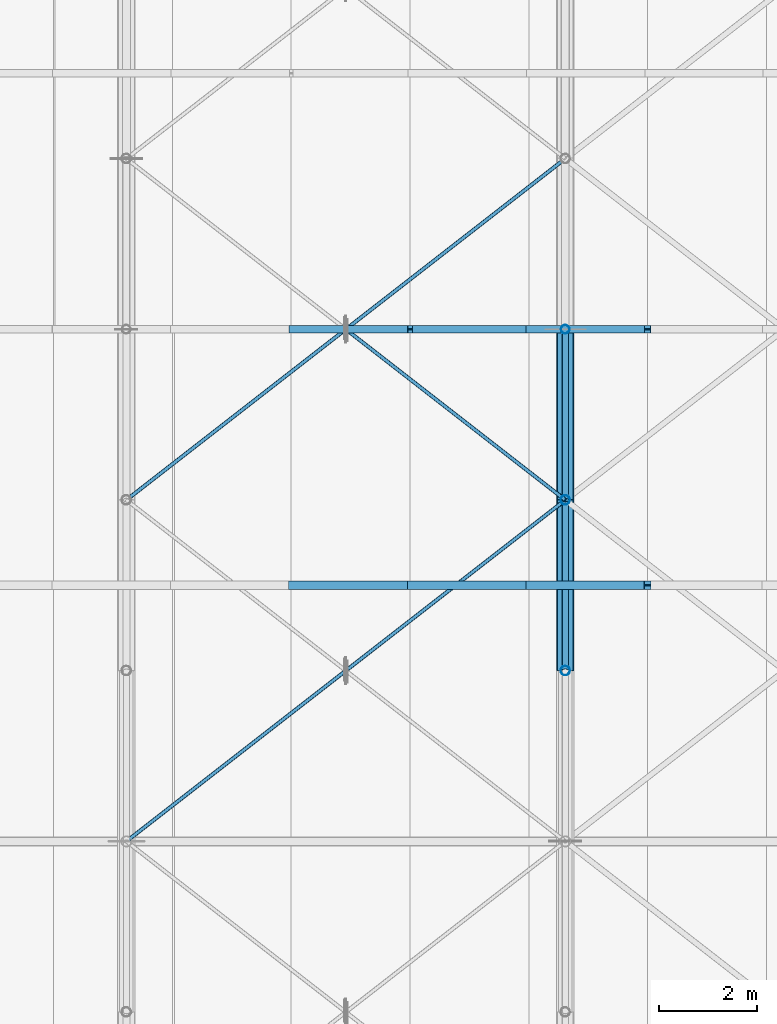
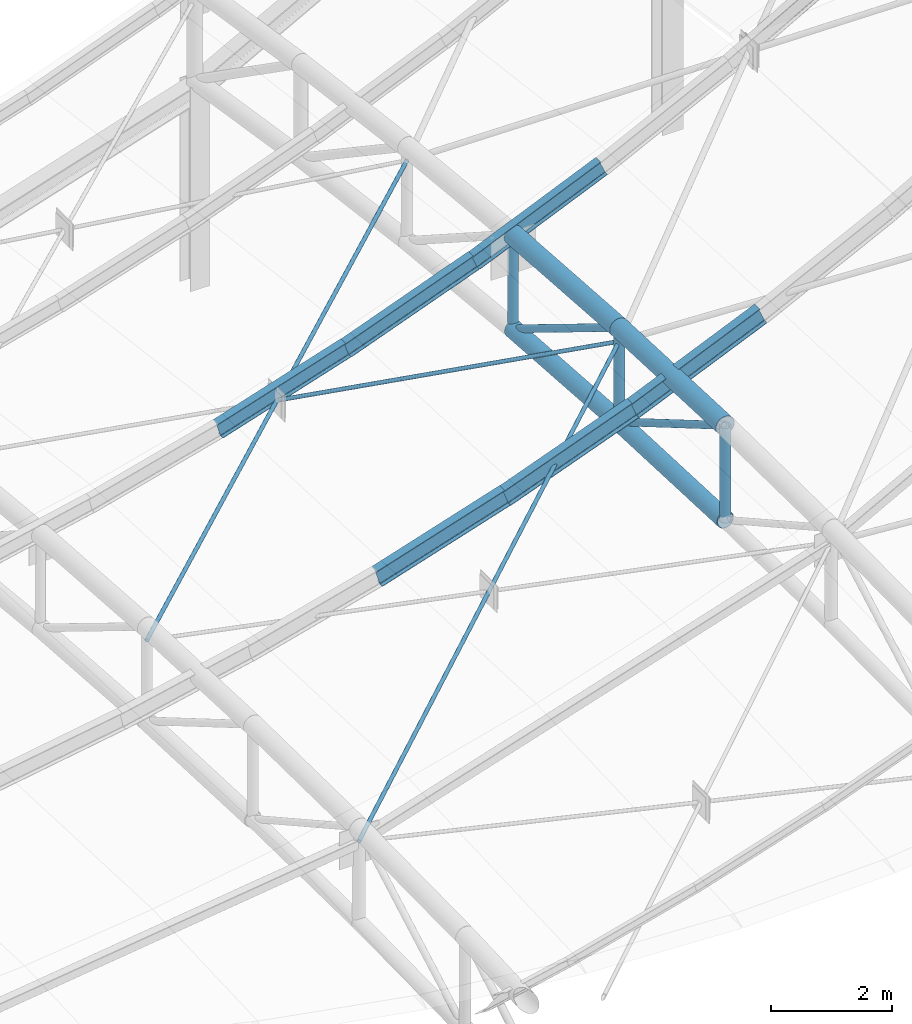
# One storey, part 36 of 262: 18 members.
"""IFC4 building model written with IfcOpenShell, lengths in metres."""

from ifc_helpers import new_model, si_unit, derived_unit, direction, frame, origin, origin_2d, place, context, subcontext, project, spatial, hollow_circle, i_section, extrude, material, material_profile, profile_set, type_object, element, save


model = new_model("IFC4")

# Units and contexts
model_context = context("Model", 3, precision=1e-05, world=origin(), true_north=direction((0.0, 1.0)))
body_context = subcontext(model_context, "Body", "Model", "MODEL_VIEW")
ifc_project = project(units=[si_unit("LENGTHUNIT", "METRE"), si_unit("AREAUNIT", "SQUARE_METRE"), si_unit("VOLUMEUNIT", "CUBIC_METRE"), si_unit("PLANEANGLEUNIT", "RADIAN"), si_unit("MASSUNIT", "GRAM", prefix="KILO"), derived_unit("THERMALTRANSMITTANCEUNIT", [(si_unit("POWERUNIT", "WATT"), 1), (si_unit("LENGTHUNIT", "METRE"), -2), (si_unit("THERMODYNAMICTEMPERATUREUNIT", "KELVIN"), -1)])], contexts=[model_context])

# Site, building, storey
site_placement = place(None, origin())
site = spatial("IfcSite", under=ifc_project, at=site_placement, CompositionType="ELEMENT")
building_placement = place(site_placement, origin())
building = spatial("IfcBuilding", under=site, at=building_placement, Name="Almenara Railside Exhibition Hall", CompositionType="ELEMENT")
storey_placement = place(building_placement, frame((0.0, 0.0, 21.699951171875)))
storey = spatial("IfcBuildingStorey", under=building, at=storey_placement, Name="RF", CompositionType="ELEMENT", Elevation=21.699951171875)

# Members
ifc_material = material(Name="Structural steel S355JR", Category="steel")
ifc_material_profile_1 = material_profile(ifc_material, i_section(OverallWidth=0.159912109375, OverallDepth=0.330078125, WebThickness=0.007568359375, FlangeThickness=0.011474609375, FilletRadius=0.01806640625, at=origin_2d()), Name="IPE 330")
ifc_profile_set_1 = profile_set([ifc_material_profile_1], Name="Structural steel S355JR")
member_type_1 = type_object("IfcMemberType", Name="Gable Bay Purlin IPE 330 S355JR", PredefinedType="PURLIN", material=ifc_profile_set_1)
member_1_placement = place(storey_placement, frame((51.3798828125, 31.5, -4.598876953125), z_axis=(0.952440767254, 0.0, 0.304723784553), x_axis=(0.0, 1.0, 0.0)))
element("IfcMember", 1, at=member_1_placement, inside=storey, type_object=member_type_1, Name="MEM-PR-V4-PR-IPE330-06-22", PredefinedType="PURLIN", context=body_context, shape_type="SweptSolid", body=[
    extrude(i_section(OverallWidth=0.159912109375, OverallDepth=0.330078125, WebThickness=0.007568359375, FlangeThickness=0.011474609375, FilletRadius=0.01806640625, at=origin_2d()), origin(), (0.0, 0.0, 1.0), 2.55810546875),
])
member_2_placement = place(storey_placement, frame((53.81640625, 31.5, -3.825927734375), z_axis=(0.936171044044, 0.0, 0.351544842508), x_axis=(0.0, 1.0, 0.0)))
element("IfcMember", 2, at=member_2_placement, inside=storey, type_object=member_type_1, Name="MEM-PR-V4-PR-IPE330-06-23", PredefinedType="PURLIN", context=body_context, shape_type="SweptSolid", body=[
    extrude(i_section(OverallWidth=0.159912109375, OverallDepth=0.330078125, WebThickness=0.007568359375, FlangeThickness=0.011474609375, FilletRadius=0.01806640625, at=origin_2d()), origin(), (0.0, 0.0, 1.0), 2.60302734375),
])
member_3_placement = place(storey_placement, frame((56.253173828125, 31.5, -2.9189453125), z_axis=(0.917189812532, 0.0, 0.398450558775), x_axis=(0.0, 1.0, 0.0)))
element("IfcMember", 3, at=member_3_placement, inside=storey, type_object=member_type_1, Name="MEM-PR-V4-PR-IPE330-06-24", PredefinedType="PURLIN", context=body_context, shape_type="SweptSolid", body=[
    extrude(i_section(OverallWidth=0.159912109375, OverallDepth=0.330078125, WebThickness=0.007568359375, FlangeThickness=0.011474609375, FilletRadius=0.01806640625, at=origin_2d()), origin(), (0.0, 0.0, 1.0), 2.65673828125),
])
ifc_material_profile_2 = material_profile(ifc_material, hollow_circle(Radius=0.0380859375, WallThickness=0.003662109375, at=origin_2d()), Name="CHS 76.1x3.6")
ifc_profile_set_2 = profile_set([ifc_material_profile_2], Name="Structural steel S355JR")
member_type_2 = type_object("IfcMemberType", Name="Lantern Cross-Tie Brace CHS 76.1x3.6 S355JR", PredefinedType="BRACE", material=ifc_profile_set_2)
member_4_placement = place(storey_placement, frame((48.0, 21.0, -5.3505859375), z_axis=(0.768536005782, 0.597750226719, 0.228138278843), x_axis=(-0.613940613515, 0.789352217376, 0.0)))
element("IfcMember", 4, at=member_4_placement, inside=storey, type_object=member_type_2, Name="MEM-WB-V4-WB-CHS76-05-06-C", PredefinedType="BRACE", context=body_context, shape_type="SweptSolid", body=[
    extrude(hollow_circle(Radius=0.0380859375, WallThickness=0.003662109375, at=origin_2d()), origin(), (0.0, 0.0, 1.0), 11.710693359375),
])
member_5_placement = place(storey_placement, frame((48.0, 28.0, -5.550537109375), z_axis=(0.774139083948, 0.602108176404, 0.195382759252), x_axis=(-0.613940613515, 0.789352217376, 0.0)))
element("IfcMember", 5, at=member_5_placement, inside=storey, type_object=member_type_2, Name="MEM-WB-V4-WB-CHS76-05-08-C", PredefinedType="BRACE", context=body_context, shape_type="SweptSolid", body=[
    extrude(hollow_circle(Radius=0.0380859375, WallThickness=0.003662109375, at=origin_2d()), origin(), (0.0, 0.0, 1.0), 11.625732421875),
])
member_6_placement = place(storey_placement, frame((52.53173828125, 31.475341796875, -4.402587890625), z_axis=(0.755120122258, -0.587320234966, 0.291287731567), x_axis=(0.613943599375, 0.789349895031, 0.0)))
element("IfcMember", 6, at=member_6_placement, inside=storey, type_object=member_type_2, Name="MEM-WB-V4-WB-CHS76-05-08-S2", PredefinedType="BRACE", context=body_context, shape_type="SweptSolid", body=[
    extrude(hollow_circle(Radius=0.0380859375, WallThickness=0.003662109375, at=origin_2d()), origin(), (0.0, 0.0, 1.0), 5.917236328125),
])
ifc_material_profile_3 = material_profile(ifc_material, i_section(OverallWidth=0.169921875, OverallDepth=0.360107421875, WebThickness=0.008056640625, FlangeThickness=0.0126953125, FilletRadius=0.01806640625, at=origin_2d()), Name="IPE 360")
ifc_profile_set_3 = profile_set([ifc_material_profile_3], Name="Structural steel S355JR")
member_type_3 = type_object("IfcMemberType", Name="Long-Span Scroll Purlin IPE 360 S355JR", PredefinedType="PURLIN", material=ifc_profile_set_3)
member_7_placement = place(storey_placement, frame((51.3798828125, 26.25, -4.38671875), z_axis=(0.952468462339, 0.0, 0.304637207594), x_axis=(0.0, 1.0, 0.0)))
element("IfcMember", 7, at=member_7_placement, inside=storey, type_object=member_type_3, Name="MEM-PR-V4-PR-IPE360-05-22", PredefinedType="PURLIN", context=body_context, shape_type="SweptSolid", body=[
    extrude(i_section(OverallWidth=0.169921875, OverallDepth=0.360107421875, WebThickness=0.008056640625, FlangeThickness=0.0126953125, FilletRadius=0.01806640625, at=origin_2d()), origin(), (0.0, 0.0, 1.0), 2.55810546875),
])
member_8_placement = place(storey_placement, frame((53.81640625, 26.25, -3.6142578125), z_axis=(0.936171044044, 0.0, 0.351544842508), x_axis=(0.0, 1.0, 0.0)))
element("IfcMember", 8, at=member_8_placement, inside=storey, type_object=member_type_3, Name="MEM-PR-V4-PR-IPE360-05-23", PredefinedType="PURLIN", context=body_context, shape_type="SweptSolid", body=[
    extrude(i_section(OverallWidth=0.169921875, OverallDepth=0.360107421875, WebThickness=0.008056640625, FlangeThickness=0.0126953125, FilletRadius=0.01806640625, at=origin_2d()), origin(), (0.0, 0.0, 1.0), 2.60302734375),
])
member_9_placement = place(storey_placement, frame((56.253173828125, 26.25, -2.70751953125), z_axis=(0.917189812532, 0.0, 0.398450558775), x_axis=(0.0, 1.0, 0.0)))
element("IfcMember", 9, at=member_9_placement, inside=storey, type_object=member_type_3, Name="MEM-PR-V4-PR-IPE360-05-24", PredefinedType="PURLIN", context=body_context, shape_type="SweptSolid", body=[
    extrude(i_section(OverallWidth=0.169921875, OverallDepth=0.360107421875, WebThickness=0.008056640625, FlangeThickness=0.0126953125, FilletRadius=0.01806640625, at=origin_2d()), origin(), (0.0, 0.0, 1.0), 2.65673828125),
])
ifc_material_profile_4 = material_profile(ifc_material, hollow_circle(Radius=0.161865234375, WallThickness=0.010009765625, at=origin_2d()), Name="CHS 323.9x10")
ifc_profile_set_4 = profile_set([ifc_material_profile_4], Name="Structural steel S355JR")
member_type_4 = type_object("IfcMemberType", Name="Plenary Truss Bottom Chord CHS 323.9x10 S355JR", PredefinedType="CHORD", material=ifc_profile_set_4)
member_10_placement = place(storey_placement, frame((57.0, 24.5, -4.149169921875), z_axis=(0.0, 0.999084087935, -0.042790013253), x_axis=(-1.0, 0.0, 0.0)))
element("IfcMember", 10, at=member_10_placement, inside=storey, type_object=member_type_4, Name="MEM-BC-V4-06-07", PredefinedType="CHORD", context=body_context, shape_type="SweptSolid", body=[
    extrude(hollow_circle(Radius=0.161865234375, WallThickness=0.010009765625, at=origin_2d()), origin(), (0.0, 0.0, 1.0), 3.503173828125),
])
member_11_placement = place(storey_placement, frame((57.0, 28.0, -4.299072265625), z_axis=(0.0, 0.997458699831, -0.071247049988), x_axis=(-1.0, 0.0, 0.0)))
element("IfcMember", 11, at=member_11_placement, inside=storey, type_object=member_type_4, Name="MEM-BC-V4-06-08", PredefinedType="CHORD", context=body_context, shape_type="SweptSolid", body=[
    extrude(hollow_circle(Radius=0.161865234375, WallThickness=0.010009765625, at=origin_2d()), origin(), (0.0, 0.0, 1.0), 3.509033203125),
])
ifc_material_profile_5 = material_profile(ifc_material, hollow_circle(Radius=0.177734375, WallThickness=0.012451171875, at=origin_2d()), Name="CHS 355.6x12.5")
ifc_profile_set_5 = profile_set([ifc_material_profile_5], Name="Structural steel S355JR")
member_type_5 = type_object("IfcMemberType", Name="Plenary Truss Top Chord CHS 355.6x12.5 S355JR", PredefinedType="CHORD", material=ifc_profile_set_5)
member_12_placement = place(storey_placement, frame((57.0, 24.5, -2.2490234375), z_axis=(0.0, 0.999081106193, -0.042859575914), x_axis=(-1.0, 0.0, 0.0)))
element("IfcMember", 12, at=member_12_placement, inside=storey, type_object=member_type_5, Name="MEM-TC-V4-06-07", PredefinedType="CHORD", context=body_context, shape_type="SweptSolid", body=[
    extrude(hollow_circle(Radius=0.177734375, WallThickness=0.012451171875, at=origin_2d()), origin(), (0.0, 0.0, 1.0), 3.503173828125),
])
member_13_placement = place(storey_placement, frame((57.0, 28.0, -2.399169921875), z_axis=(0.0, 0.997458699831, -0.071247049988), x_axis=(-1.0, 0.0, 0.0)))
element("IfcMember", 13, at=member_13_placement, inside=storey, type_object=member_type_5, Name="MEM-TC-V4-06-08", PredefinedType="CHORD", context=body_context, shape_type="SweptSolid", body=[
    extrude(hollow_circle(Radius=0.177734375, WallThickness=0.012451171875, at=origin_2d()), origin(), (0.0, 0.0, 1.0), 3.509033203125),
])
ifc_material_profile_6 = material_profile(ifc_material, hollow_circle(Radius=0.06982421875, WallThickness=0.0048828125, at=origin_2d()), Name="CHS 139.7x5")
ifc_profile_set_6 = profile_set([ifc_material_profile_6], Name="Structural steel S355JR")
member_type_6 = type_object("IfcMemberType", Name="Truss Inner Diagonal CHS 139.7x5 S355JR", PredefinedType="BRACE", material=ifc_profile_set_6)
member_14_placement = place(storey_placement, frame((57.0, 24.5, -2.2490234375), z_axis=(0.0, 0.862878111278, -0.505412074526), x_axis=(-1.0, 0.0, 0.0)))
element("IfcMember", 14, at=member_14_placement, inside=storey, type_object=member_type_6, Name="MEM-TD-V4-06-07", PredefinedType="BRACE", context=body_context, shape_type="SweptSolid", body=[
    extrude(hollow_circle(Radius=0.06982421875, WallThickness=0.0048828125, at=origin_2d()), origin(), (0.0, 0.0, 1.0), 4.05615234375),
])
member_15_placement = place(storey_placement, frame((57.0, 28.0, -2.399169921875), z_axis=(0.0, 0.852086589476, -0.523400844512), x_axis=(-1.0, 0.0, 0.0)))
element("IfcMember", 15, at=member_15_placement, inside=storey, type_object=member_type_6, Name="MEM-TD-V4-06-08", PredefinedType="BRACE", context=body_context, shape_type="SweptSolid", body=[
    extrude(hollow_circle(Radius=0.06982421875, WallThickness=0.0048828125, at=origin_2d()), origin(), (0.0, 0.0, 1.0), 4.107666015625),
])
ifc_material_profile_7 = material_profile(ifc_material, hollow_circle(Radius=0.0888671875, WallThickness=0.006103515625, at=origin_2d()), Name="CHS 177.8x6")
ifc_profile_set_7 = profile_set([ifc_material_profile_7], Name="Structural steel S355JR")
member_type_7 = type_object("IfcMemberType", Name="Truss Quarter Vertical Strut CHS 177.8x6 S355JR", PredefinedType="BRACE", material=ifc_profile_set_7)
member_16_placement = place(storey_placement, frame((57.0, 31.5, -4.549072265625), z_axis=(0.0, 0.0, 1.0), x_axis=(1.0, 0.0, 0.0)))
element("IfcMember", 16, at=member_16_placement, inside=storey, type_object=member_type_7, Name="MEM-TV-V4-06-09", PredefinedType="BRACE", context=body_context, shape_type="SweptSolid", body=[
    extrude(hollow_circle(Radius=0.0888671875, WallThickness=0.006103515625, at=origin_2d()), origin(), (0.0, 0.0, 1.0), 1.89990234375),
])
ifc_material_profile_8 = material_profile(ifc_material, hollow_circle(Radius=0.096923828125, WallThickness=0.00634765625, at=origin_2d()), Name="CHS 193.7x6.3")
ifc_profile_set_8 = profile_set([ifc_material_profile_8], Name="Structural steel S355JR")
member_type_8 = type_object("IfcMemberType", Name="Truss Standard Vertical Strut CHS 193.7x6.3 S355JR", PredefinedType="BRACE", material=ifc_profile_set_8)
member_17_placement = place(storey_placement, frame((57.0, 24.5, -4.149169921875), z_axis=(0.0, 0.0, 1.0), x_axis=(1.0, 0.0, 0.0)))
element("IfcMember", 17, at=member_17_placement, inside=storey, type_object=member_type_8, Name="MEM-TV-V4-06-07", PredefinedType="BRACE", context=body_context, shape_type="SweptSolid", body=[
    extrude(hollow_circle(Radius=0.096923828125, WallThickness=0.00634765625, at=origin_2d()), origin(), (0.0, 0.0, 1.0), 1.900146484375),
])
member_18_placement = place(storey_placement, frame((57.0, 28.0, -4.299072265625), z_axis=(0.0, 0.0, 1.0), x_axis=(1.0, 0.0, 0.0)))
element("IfcMember", 18, at=member_18_placement, inside=storey, type_object=member_type_8, Name="MEM-TV-V4-06-08", PredefinedType="BRACE", context=body_context, shape_type="SweptSolid", body=[
    extrude(hollow_circle(Radius=0.096923828125, WallThickness=0.00634765625, at=origin_2d()), origin(), (0.0, 0.0, 1.0), 1.89990234375),
])

save(model, "model.ifc")
